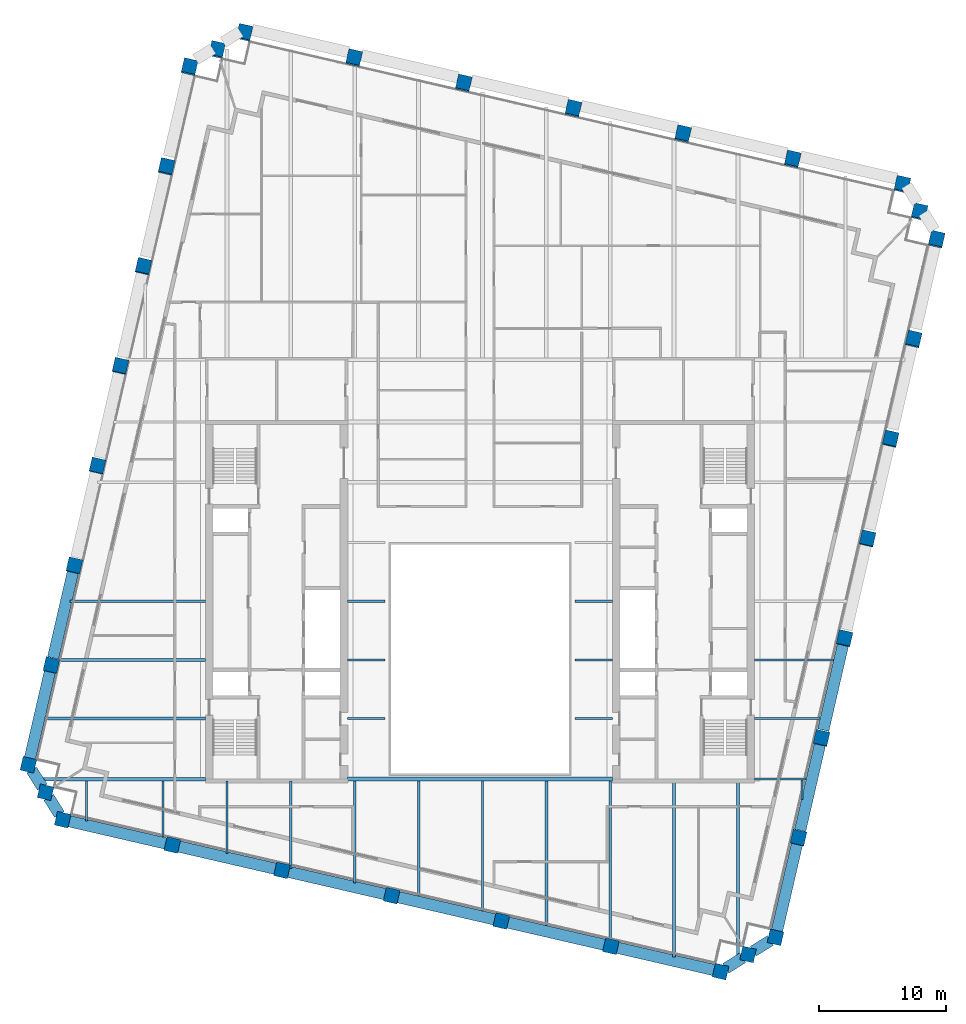
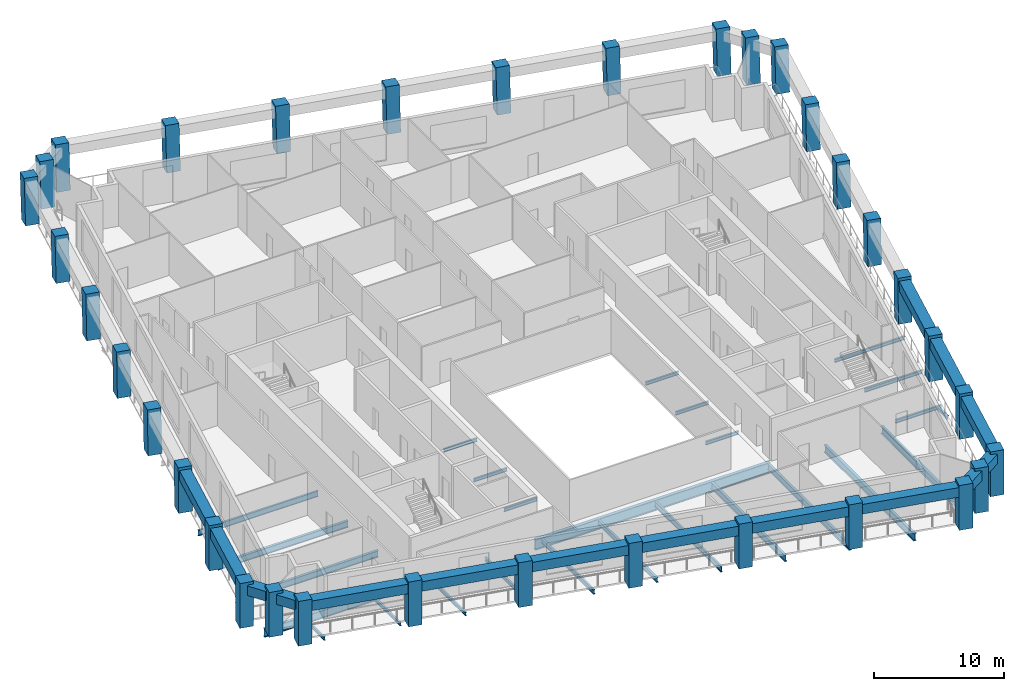
# One storey, part 1 of 10: 41 beams, 34 columns.
"""IFC4 building model written with IfcOpenShell, lengths in metres."""

import ifcopenshell
import ifcopenshell.guid

model = None  # the IFC model being written
_history = None  # IfcOwnerHistory: only IFC2X3 demands one
_inside = {}  # id of a spatial element -> (the spatial element, [elements in it])
_under = {}  # id of a project, library or spatial element -> (it, [spatial elements below it])
_declared = {}  # id of a project -> (the project, [libraries it declares])
_typed = {}  # id of a type object -> (the type object, [elements of that type])
_made_of = {}  # id of a material, layer set ... -> (it, [elements and type objects made of it])


def new_model(schema):
    """Start an empty IFC model of exactly this schema.

    Asked for "IFC4X3", IfcOpenShell would pick the latest addendum, in which some entities
    have other attributes; the version numbers below select the first issue.
    IFC2X3 requires an IfcOwnerHistory on every rooted entity: one is made here for all.
    """
    global model, _history
    if schema == "IFC4X3":
        model = ifcopenshell.file(schema_version=(4, 3, 0, 0))
    else:
        model = ifcopenshell.file(schema=schema)
    _inside.clear()
    _under.clear()
    _declared.clear()
    _typed.clear()
    _made_of.clear()
    _history = None
    if model.schema == "IFC2X3":
        org = make("IfcOrganization", Name="unknown")
        user = make(
            "IfcPersonAndOrganization",
            ThePerson=make("IfcPerson", FamilyName="unknown"),
            TheOrganization=org,
        )
        app = make(
            "IfcApplication",
            ApplicationDeveloper=org,
            Version="unknown",
            ApplicationFullName="unknown",
            ApplicationIdentifier="unknown",
        )
        _history = make(
            "IfcOwnerHistory",
            OwningUser=user,
            OwningApplication=app,
            ChangeAction="ADDED",
            CreationDate=0,
        )
    return model


def make(cls, **values):
    """One entity of the class cls with the attributes given. An attribute that is None is left unset."""
    return model.create_entity(
        cls, **{name: value for name, value in values.items() if value is not None}
    )


def rooted(cls, **values):
    """An entity with a GlobalId (a new one), such as an element, a storey or a relation."""
    return make(cls, GlobalId=ifcopenshell.guid.new(), OwnerHistory=_history, **values)


def si_unit(unit_type, name, prefix=None):
    """IfcSIUnit, for example si_unit("LENGTHUNIT", "METRE", prefix="MILLI")."""
    return make("IfcSIUnit", UnitType=unit_type, Prefix=prefix, Name=name)


def assignment(units):
    """IfcUnitAssignment: the units of a project."""
    return None if units is None else make("IfcUnitAssignment", Units=units)


def point(xyz):
    """IfcCartesianPoint."""
    return None if xyz is None else make("IfcCartesianPoint", Coordinates=xyz)


def direction(xyz):
    """IfcDirection."""
    return None if xyz is None else make("IfcDirection", DirectionRatios=xyz)


def frame(location, z_axis=None, x_axis=None):
    """IfcAxis2Placement3D, a coordinate frame: its origin and axes. An axis left out is left unset."""
    return make(
        "IfcAxis2Placement3D",
        Location=point(location),
        Axis=direction(z_axis),
        RefDirection=direction(x_axis),
    )


def frame_2d(location, x_axis=None):
    """IfcAxis2Placement2D, a coordinate frame in the plane: its origin and x axis."""
    return make(
        "IfcAxis2Placement2D", Location=point(location), RefDirection=direction(x_axis)
    )


def origin():
    """The frame at (0, 0, 0) with its axes left unset."""
    return frame((0.0, 0.0, 0.0))


def origin_2d():
    """The frame at (0, 0) in the plane with its x axis left unset."""
    return frame_2d((0.0, 0.0))


def place(relative_to, where):
    """IfcLocalPlacement: puts the frame where relative to a parent placement (None: the world)."""
    return make(
        "IfcLocalPlacement", PlacementRelTo=relative_to, RelativePlacement=where
    )


def context(
    kind, dimensions, precision=None, world=None, true_north=None, identifier=None
):
    """IfcGeometricRepresentationContext, for example the 3D "Model" context."""
    return make(
        "IfcGeometricRepresentationContext",
        ContextIdentifier=identifier,
        ContextType=kind,
        CoordinateSpaceDimension=dimensions,
        Precision=precision,
        WorldCoordinateSystem=world,
        TrueNorth=true_north,
    )


def subcontext(parent, identifier, kind, view, scale=None):
    """IfcGeometricRepresentationSubContext, for example "Body" below "Model"."""
    return make(
        "IfcGeometricRepresentationSubContext",
        ContextIdentifier=identifier,
        ContextType=kind,
        ParentContext=parent,
        TargetScale=scale,
        TargetView=view,
    )


def project(units=None, contexts=None):
    """IfcProject with its units and contexts."""
    return rooted(
        "IfcProject",
        Name="project",
        RepresentationContexts=contexts,
        UnitsInContext=assignment(units),
    )


def spatial(cls, under=None, at=None, **own):
    """A site, building, storey or space (cls), placed at a placement, below another one or the project."""
    s = rooted(cls, ObjectPlacement=at, **own)
    if under is not None:
        _under.setdefault(under.id(), (under, []))[1].append(s)
    return s


def profile(cls, at=None, kind="AREA", **sizes):
    """A parametric profile (cls). Its sizes go by their IFC names, for example OverallWidth=200.0."""
    return make(cls, ProfileType=kind, Position=at, **sizes)


def rectangle(**sizes):
    """IfcRectangleProfileDef."""
    return profile("IfcRectangleProfileDef", **sizes)


def i_section(**sizes):
    """IfcIShapeProfileDef."""
    return profile("IfcIShapeProfileDef", **sizes)


def extrude(swept, where, along, depth):
    """IfcExtrudedAreaSolid: the profile swept, set in the frame where, extruded along a direction by depth."""
    return make(
        "IfcExtrudedAreaSolid",
        SweptArea=swept,
        Position=where,
        ExtrudedDirection=direction(along),
        Depth=depth,
    )


def shape(context_of_items, identifier, shape_type, items):
    """IfcShapeRepresentation: the items that make up one representation, for example the "Body"."""
    return make(
        "IfcShapeRepresentation",
        ContextOfItems=context_of_items,
        RepresentationIdentifier=identifier,
        RepresentationType=shape_type,
        Items=items,
    )


def material(Name=None, Category=None):
    """IfcMaterial."""
    return make("IfcMaterial", Name=Name, Category=Category)


def material_profile(
    of_material, cross_section, Name=None, Category=None, Priority=None
):
    """IfcMaterialProfile: a cross section and its material."""
    return make(
        "IfcMaterialProfile",
        Name=Name,
        Material=of_material,
        Profile=cross_section,
        Priority=Priority,
        Category=Category,
    )


def profile_set(profiles, Name=None, composite=None):
    """IfcMaterialProfileSet."""
    return make(
        "IfcMaterialProfileSet",
        Name=Name,
        MaterialProfiles=profiles,
        CompositeProfile=composite,
    )


def made_of(thing, what):
    """Note that an element or type object is made of a material, layer set ...; save() writes the relation."""
    if what is not None:
        _made_of.setdefault(what.id(), (what, []))[1].append(thing)
    return thing


def type_object(cls, material=None, **own):
    """A type object (cls), such as IfcWallType, which elements share."""
    return made_of(rooted(cls, **own), material)


def element(
    cls,
    number,
    at=None,
    inside=None,
    cuts=None,
    type_object=None,
    material=None,
    context=None,
    identifier="Body",
    shape_type=None,
    held_by="IfcProductDefinitionShape",
    body=None,
    shapes=None,
    **own,
):
    """One element of the class cls, such as IfcWall. Its Tag is "e" and its number.

    at: its placement. inside: the storey or other place that contains it. cuts: it is an
    opening in that element (IfcRelVoidsElement). A single representation is given by context,
    identifier, shape_type and body (its items); several are given by shapes. held_by: the class
    of the entity that holds the representations. save() writes the other relations.
    """
    e = rooted(cls, Tag="e%d" % number, ObjectPlacement=at, **own)
    if body is not None:
        shapes = [shape(context, identifier, shape_type, body)]
    if shapes is not None:
        e.Representation = make(held_by, Representations=shapes)
    if inside is not None:
        _inside.setdefault(inside.id(), (inside, []))[1].append(e)
    if cuts is not None:
        rooted(
            "IfcRelVoidsElement", RelatingBuildingElement=cuts, RelatedOpeningElement=e
        )
    if type_object is not None:
        _typed.setdefault(type_object.id(), (type_object, []))[1].append(e)
    return made_of(e, material)


def aggregate(whole, parts):
    """IfcRelAggregates: a whole, such as a stair, and the parts it consists of."""
    return rooted("IfcRelAggregates", RelatingObject=whole, RelatedObjects=parts)


def save(model, path):
    """Write the relations noted so far, then the file.

    IfcRelAggregates (storeys below a building ...), IfcRelContainedInSpatialStructure (elements
    in a storey), IfcRelDefinesByType, IfcRelAssociatesMaterial and IfcRelDeclares: one each for
    every whole, place, type object, material and project.
    """
    for whole, parts in _under.values():
        aggregate(whole, parts)
    for where, things in _inside.values():
        rooted(
            "IfcRelContainedInSpatialStructure",
            RelatedElements=things,
            RelatingStructure=where,
        )
    for kind, things in _typed.values():
        rooted("IfcRelDefinesByType", RelatedObjects=things, RelatingType=kind)
    for what, things in _made_of.values():
        rooted("IfcRelAssociatesMaterial", RelatedObjects=things, RelatingMaterial=what)
    for by, libraries in _declared.values():
        rooted("IfcRelDeclares", RelatingContext=by, RelatedDefinitions=libraries)
    model.write(path)


model = new_model("IFC4")

# Units and contexts
model_context = context("Model", 3, precision=1e-05, world=origin(), true_north=direction((0.0, 1.0)))
body_context = subcontext(model_context, "Body", "Model", "MODEL_VIEW")
ifc_project = project(units=[si_unit("LENGTHUNIT", "METRE"), si_unit("AREAUNIT", "SQUARE_METRE"), si_unit("VOLUMEUNIT", "CUBIC_METRE"), si_unit("PLANEANGLEUNIT", "RADIAN"), si_unit("MASSUNIT", "GRAM", prefix="KILO")], contexts=[model_context])

# Site, building, storey
site_placement = place(None, origin())
site = spatial("IfcSite", under=ifc_project, at=site_placement, CompositionType="ELEMENT")
building_placement = place(site_placement, origin())
building = spatial("IfcBuilding", under=site, at=building_placement, Name="Ogive Exchange Tower", CompositionType="ELEMENT")
storey_placement = place(building_placement, frame((0.0, 0.0, 255.60009765625)))
storey = spatial("IfcBuildingStorey", under=building, at=storey_placement, Name="L55", CompositionType="ELEMENT", Elevation=255.60009765625)

# Columns
ifc_material_1 = material(Name="Precast concrete C70/85 (limestone faced)", Category="masonry")
ifc_material_profile_1 = material_profile(ifc_material_1, rectangle(XDim=1.10009765625, YDim=1.10009765625, at=origin_2d()), Name="1100 x 1100")
ifc_profile_set_1 = profile_set([ifc_material_profile_1], Name="Precast concrete C70/85 (limestone faced)")
column_type = type_object("IfcColumnType", Name="Precast exoskeleton leg 1100 x 1100 C70/85", PredefinedType="COLUMN", material=ifc_profile_set_1)
for number, where, z_axis, x_axis, name in (
    (1, (-32.820556640625, -5.635498046875, 0.0), (0.0, 0.0, 1.0), (0.974370064785, -0.224951054344, 0.0), "Exoskeleton leg 1"),
    (2, (-24.197265625, -7.62646484375, 0.0), (0.0, 0.0, 1.0), (0.974370064785, -0.224951054344, 0.0), "Exoskeleton leg 2"),
    (3, (-15.57421875, -9.6171875, 0.0), (0.0, 0.0, 1.0), (0.974370064785, -0.224951054344, 0.0), "Exoskeleton leg 3"),
    (4, (-6.950927734375, -11.60791015625, 0.0), (0.0, 0.0, 1.0), (0.974370064785, -0.224951054344, 0.0), "Exoskeleton leg 4"),
    (5, (1.672119140625, -13.598876953125, 0.0), (0.0, 0.0, 1.0), (0.974370064785, -0.224951054344, 0.0), "Exoskeleton leg 5"),
    (6, (10.29541015625, -15.589599609375, 0.0), (0.0, 0.0, 1.0), (0.974370064785, -0.224951054344, 0.0), "Exoskeleton leg 6"),
    (7, (18.91845703125, -17.58056640625, 0.0), (0.0, 0.0, 1.0), (0.974370064785, -0.224951054344, 0.0), "Exoskeleton leg 7"),
    (8, (23.236083984375, -14.882568359375, 0.0), (0.0, 0.0, 1.0), (0.974370064785, -0.224951054344, 0.0), "Exoskeleton leg 8"),
):
    element("IfcColumn", number, at=place(storey_placement, frame(where, z_axis=z_axis, x_axis=x_axis)), inside=storey, type_object=column_type, Name=name, PredefinedType="COLUMN", context=body_context, shape_type="SweptSolid", body=[
        extrude(rectangle(XDim=1.10009765625, YDim=1.10009765625, at=origin_2d()), origin(), (0.0, 0.0, 1.0), 4.199951171875),
    ])
column_1_placement = place(storey_placement, frame((25.045166015625, -7.047119140625, 0.0), z_axis=(0.002906224189, 0.012671137464, 0.999915494498), x_axis=(-0.974691740237, 0.22355315143, 0.0)))
element("IfcColumn", 9, at=column_1_placement, inside=storey, type_object=column_type, Name="Exoskeleton leg 9", PredefinedType="COLUMN", context=body_context, shape_type="SweptSolid", body=[
    extrude(rectangle(XDim=1.10009765625, YDim=1.10009765625, at=origin_2d()), origin(), (0.0, 0.0, 1.0), 4.2001953125),
])
column_2_placement = place(storey_placement, frame((26.85400390625, 0.788330078125, 0.0), z_axis=(0.005810983994, 0.025277780376, 0.999663576552), x_axis=(-0.974579651079, 0.224041299099, 0.0)))
element("IfcColumn", 10, at=column_2_placement, inside=storey, type_object=column_type, Name="Exoskeleton leg 10", PredefinedType="COLUMN", context=body_context, shape_type="SweptSolid", body=[
    extrude(rectangle(XDim=1.10009765625, YDim=1.10009765625, at=origin_2d()), origin(), (0.0, 0.0, 1.0), 4.201416015625),
])
column_3_placement = place(storey_placement, frame((28.6630859375, 8.623779296875, 0.0), z_axis=(0.00871280379, 0.037929739166, 0.999242424008), x_axis=(-0.974617095667, 0.223878352757, 0.0)))
element("IfcColumn", 11, at=column_3_placement, inside=storey, type_object=column_type, Name="Exoskeleton leg 11", PredefinedType="COLUMN", context=body_context, shape_type="SweptSolid", body=[
    extrude(rectangle(XDim=1.10009765625, YDim=1.10009765625, at=origin_2d()), origin(), (0.0, 0.0, 1.0), 4.203125),
])
column_4_placement = place(storey_placement, frame((30.471923828125, 16.459228515625, 0.0), z_axis=(0.011668267153, 0.050562490995, 0.998652735462), x_axis=(-0.974391195695, 0.224859506699, 0.0)))
element("IfcColumn", 12, at=column_4_placement, inside=storey, type_object=column_type, Name="Exoskeleton leg 12", PredefinedType="COLUMN", context=body_context, shape_type="SweptSolid", body=[
    extrude(rectangle(XDim=1.10009765625, YDim=1.10009765625, at=origin_2d()), origin(), (0.0, 0.0, 1.0), 4.20556640625),
])
column_5_placement = place(storey_placement, frame((32.281005859375, 24.294677734375, 0.0), z_axis=(0.014559841898, 0.063111984005, 0.997900239743), x_axis=(-0.97440628778, 0.224794097641, 0.0)))
element("IfcColumn", 13, at=column_5_placement, inside=storey, type_object=column_type, Name="Exoskeleton leg 13", PredefinedType="COLUMN", context=body_context, shape_type="SweptSolid", body=[
    extrude(rectangle(XDim=1.10009765625, YDim=1.10009765625, at=origin_2d()), origin(), (0.0, 0.0, 1.0), 4.208740234375),
])
column_6_placement = place(storey_placement, frame((34.08984375, 32.130126953125, 0.0), z_axis=(0.017502025619, 0.075687567741, 0.996977969259), x_axis=(-0.974290512438, 0.225295355862, 0.0)))
element("IfcColumn", 14, at=column_6_placement, inside=storey, type_object=column_type, Name="Exoskeleton leg 14", PredefinedType="COLUMN", context=body_context, shape_type="SweptSolid", body=[
    extrude(rectangle(XDim=1.10009765625, YDim=1.10009765625, at=origin_2d()), origin(), (0.0, 0.0, 1.0), 4.212646484375),
])
for number, where, z_axis, x_axis, name in (
    (15, (35.898681640625, 39.965576171875, 0.0), (0.020377493232, 0.0882252832, 0.995892091129), (-0.97434807649, 0.225046274885, 0.0), "Exoskeleton leg 15"),
    (16, (33.200927734375, 44.283203125, 0.0), (0.020377493232, 0.0882252832, 0.995892091129), (-0.97434807649, 0.225046274885, 0.0), "Exoskeleton leg 16"),
    (17, (24.57763671875, 46.27392578125, 0.0), (0.020377493232, 0.0882252832, 0.995892091129), (-0.97434807649, 0.225046274885, 0.0), "Exoskeleton leg 17"),
    (18, (15.95458984375, 48.264892578125, 0.0), (0.020319730311, 0.088167946619, 0.995898349105), (-0.97445585692, 0.224579123952, 0.0), "Exoskeleton leg 18"),
    (19, (7.331298828125, 50.255615234375, 0.0), (0.020377493232, 0.0882252832, 0.995892091129), (-0.97434807649, 0.225046274885, 0.0), "Exoskeleton leg 19"),
    (20, (-1.291748046875, 52.246337890625, 0.0), (0.020377493232, 0.0882252832, 0.995892091129), (-0.97434807649, 0.225046274885, 0.0), "Exoskeleton leg 20"),
    (21, (-9.9150390625, 54.2373046875, 0.0), (0.020377493232, 0.0882252832, 0.995892091129), (-0.97434807649, 0.225046274885, 0.0), "Exoskeleton leg 21"),
    (22, (-18.5380859375, 56.22802734375, 0.0), (0.020319626563, 0.088225387128, 0.995893264282), (-0.974488096918, 0.224439187676, 0.0), "Exoskeleton leg 22"),
    (23, (-22.855712890625, 53.530029296875, 0.0), (0.020377493232, 0.0882252832, 0.995892091129), (-0.97434807649, 0.225046274885, 0.0), "Exoskeleton leg 23"),
):
    element("IfcColumn", number, at=place(storey_placement, frame(where, z_axis=z_axis, x_axis=x_axis)), inside=storey, type_object=column_type, Name=name, PredefinedType="COLUMN", context=body_context, shape_type="SweptSolid", body=[
        extrude(rectangle(XDim=1.10009765625, YDim=1.10009765625, at=origin_2d()), origin(), (0.0, 0.0, 1.0), 4.21728515625),
    ])
column_7_placement = place(storey_placement, frame((-24.664794921875, 45.694580078125, 0.0), z_axis=(0.017501948819, 0.075745189095, 0.996973594493), x_axis=(-0.974328337224, 0.225131719848, 0.0)))
element("IfcColumn", 24, at=column_7_placement, inside=storey, type_object=column_type, Name="Exoskeleton leg 24", PredefinedType="COLUMN", context=body_context, shape_type="SweptSolid", body=[
    extrude(rectangle(XDim=1.10009765625, YDim=1.10009765625, at=origin_2d()), origin(), (0.0, 0.0, 1.0), 4.212646484375),
])
column_8_placement = place(storey_placement, frame((-26.4736328125, 37.859130859375, 0.0), z_axis=(0.014559788571, 0.063169759976, 0.997896584813), x_axis=(-0.97445148511, 0.224598092528, 0.0)))
element("IfcColumn", 25, at=column_8_placement, inside=storey, type_object=column_type, Name="Exoskeleton leg 25", PredefinedType="COLUMN", context=body_context, shape_type="SweptSolid", body=[
    extrude(rectangle(XDim=1.10009765625, YDim=1.10009765625, at=origin_2d()), origin(), (0.0, 0.0, 1.0), 4.208740234375),
])
column_9_placement = place(storey_placement, frame((-28.28271484375, 30.023681640625, 0.0), z_axis=(0.01172631027, 0.050562456661, 0.998652057337), x_axis=(-0.974145569572, 0.225921245756, 0.0)))
element("IfcColumn", 26, at=column_9_placement, inside=storey, type_object=column_type, Name="Exoskeleton leg 26", PredefinedType="COLUMN", context=body_context, shape_type="SweptSolid", body=[
    extrude(rectangle(XDim=1.10009765625, YDim=1.10009765625, at=origin_2d()), origin(), (0.0, 0.0, 1.0), 4.20556640625),
])
column_10_placement = place(storey_placement, frame((-30.091552734375, 22.188232421875, 0.0), z_axis=(0.008770865357, 0.037987721479, 0.999239713451), x_axis=(-0.97436607968, 0.224968315033, 0.0)))
element("IfcColumn", 27, at=column_10_placement, inside=storey, type_object=column_type, Name="Exoskeleton leg 27", PredefinedType="COLUMN", context=body_context, shape_type="SweptSolid", body=[
    extrude(rectangle(XDim=1.10009765625, YDim=1.10009765625, at=origin_2d()), origin(), (0.0, 0.0, 1.0), 4.203125),
])
column_11_placement = place(storey_placement, frame((-31.900390625, 14.352783203125, 0.0), z_axis=(0.005810975449, 0.025335852957, 0.999662106474), x_axis=(-0.974691740237, 0.22355315143, 0.0)))
element("IfcColumn", 28, at=column_11_placement, inside=storey, type_object=column_type, Name="Exoskeleton leg 28", PredefinedType="COLUMN", context=body_context, shape_type="SweptSolid", body=[
    extrude(rectangle(XDim=1.10009765625, YDim=1.10009765625, at=origin_2d()), origin(), (0.0, 0.0, 1.0), 4.201416015625),
])
column_12_placement = place(storey_placement, frame((-33.70947265625, 6.517333984375, 0.0), z_axis=(0.002906224189, 0.012671137464, 0.999915494498), x_axis=(-0.974691740237, 0.22355315143, 0.0)))
element("IfcColumn", 29, at=column_12_placement, inside=storey, type_object=column_type, Name="Exoskeleton leg 29", PredefinedType="COLUMN", context=body_context, shape_type="SweptSolid", body=[
    extrude(rectangle(XDim=1.10009765625, YDim=1.10009765625, at=origin_2d()), origin(), (0.0, 0.0, 1.0), 4.2001953125),
])
for number, where, z_axis, x_axis, name in (
    (30, (-35.518310546875, -1.318115234375, 0.0), (0.0, 0.0, 1.0), (0.974370064785, -0.224951054344, 0.0), "Exoskeleton leg 30"),
    (31, (21.077392578125, -16.2314453125, 0.0), (0.0, 0.0, 1.0), (0.974370064785, -0.224951054344, 0.0), "Exoskeleton leg 31"),
):
    element("IfcColumn", number, at=place(storey_placement, frame(where, z_axis=z_axis, x_axis=x_axis)), inside=storey, type_object=column_type, Name=name, PredefinedType="COLUMN", context=body_context, shape_type="SweptSolid", body=[
        extrude(rectangle(XDim=1.10009765625, YDim=1.10009765625, at=origin_2d()), origin(), (0.0, 0.0, 1.0), 4.199951171875),
    ])
for number, where, z_axis, x_axis, name in (
    (32, (34.5498046875, 42.12451171875, 0.0), (0.020377597275, 0.088167842757, 0.995897175934), (-0.97431566651, 0.225186549318, 0.0), "Exoskeleton leg 32"),
    (33, (-20.697021484375, 54.879150390625, 0.0), (0.020377493232, 0.0882252832, 0.995892091129), (-0.97434807649, 0.225046274885, 0.0), "Exoskeleton leg 33"),
):
    element("IfcColumn", number, at=place(storey_placement, frame(where, z_axis=z_axis, x_axis=x_axis)), inside=storey, type_object=column_type, Name=name, PredefinedType="COLUMN", context=body_context, shape_type="SweptSolid", body=[
        extrude(rectangle(XDim=1.10009765625, YDim=1.10009765625, at=origin_2d()), origin(), (0.0, 0.0, 1.0), 4.21728515625),
    ])
column_13_placement = place(storey_placement, frame((-34.16943359375, -3.476806640625, 0.0), z_axis=(0.0, 0.0, 1.0), x_axis=(0.974370064785, -0.224951054344, 0.0)))
element("IfcColumn", 34, at=column_13_placement, inside=storey, type_object=column_type, Name="Exoskeleton leg 34", PredefinedType="COLUMN", context=body_context, shape_type="SweptSolid", body=[
    extrude(rectangle(XDim=1.10009765625, YDim=1.10009765625, at=origin_2d()), origin(), (0.0, 0.0, 1.0), 4.199951171875),
])

# Beams
ifc_material_2 = material(Name="Steel ASTM A992 Gr50", Category="steel")
ifc_material_profile_2 = material_profile(ifc_material_2, i_section(OverallWidth=0.1650390625, OverallDepth=0.31005859375, WebThickness=0.005859375, FlangeThickness=0.009765625, at=origin_2d()), Name="W310x38.7")
ifc_profile_set_2 = profile_set([ifc_material_profile_2], Name="Steel ASTM A992 Gr50")
beam_type_1 = type_object("IfcBeamType", Name="Floor beam W310x38.7", PredefinedType="JOIST", material=ifc_profile_set_2)
for number, where, z_axis, x_axis, name in (
    (35, (-10.419921875, 2.3212890625, -0.35498046875), (1.0, 0.0, 0.0), (0.0, 1.0, 0.0), "Floor beam"),
    (36, (7.469970703125, 2.3212890625, -0.35498046875), (1.0, 0.0, 0.0), (0.0, 1.0, 0.0), "Floor beam"),
):
    element("IfcBeam", number, at=place(storey_placement, frame(where, z_axis=z_axis, x_axis=x_axis)), inside=storey, type_object=beam_type_1, Name=name, PredefinedType="JOIST", context=body_context, shape_type="SweptSolid", body=[
        extrude(i_section(OverallWidth=0.1650390625, OverallDepth=0.31005859375, WebThickness=0.005859375, FlangeThickness=0.009765625, at=origin_2d()), origin(), (0.0, 0.0, 1.0), 2.949951171875),
    ])
beam_1_placement = place(storey_placement, frame((21.580078125, 2.3212890625, -0.35498046875), z_axis=(1.0, 0.0, 0.0), x_axis=(0.0, 1.0, 0.0)))
element("IfcBeam", 37, at=beam_1_placement, inside=storey, type_object=beam_type_1, Name="Floor beam", PredefinedType="JOIST", context=body_context, shape_type="SweptSolid", body=[
    extrude(i_section(OverallWidth=0.1650390625, OverallDepth=0.31005859375, WebThickness=0.005859375, FlangeThickness=0.009765625, at=origin_2d()), origin(), (0.0, 0.0, 1.0), 5.166015625),
])
for number, where, z_axis, x_axis, name in (
    (38, (-10.419921875, 6.9326171875, -0.35498046875), (1.0, 0.0, 0.0), (0.0, 1.0, 0.0), "Floor beam"),
    (39, (7.469970703125, 6.9326171875, -0.35498046875), (1.0, 0.0, 0.0), (0.0, 1.0, 0.0), "Floor beam"),
):
    element("IfcBeam", number, at=place(storey_placement, frame(where, z_axis=z_axis, x_axis=x_axis)), inside=storey, type_object=beam_type_1, Name=name, PredefinedType="JOIST", context=body_context, shape_type="SweptSolid", body=[
        extrude(i_section(OverallWidth=0.1650390625, OverallDepth=0.31005859375, WebThickness=0.005859375, FlangeThickness=0.009765625, at=origin_2d()), origin(), (0.0, 0.0, 1.0), 2.949951171875),
    ])
beam_2_placement = place(storey_placement, frame((21.580078125, 6.9326171875, -0.35498046875), z_axis=(1.0, 0.0, 0.0), x_axis=(0.0, 1.0, 0.0)))
element("IfcBeam", 40, at=beam_2_placement, inside=storey, type_object=beam_type_1, Name="Floor beam", PredefinedType="JOIST", context=body_context, shape_type="SweptSolid", body=[
    extrude(i_section(OverallWidth=0.1650390625, OverallDepth=0.31005859375, WebThickness=0.005859375, FlangeThickness=0.009765625, at=origin_2d()), origin(), (0.0, 0.0, 1.0), 6.230712890625),
])
for number, where, z_axis, x_axis, name in (
    (41, (-10.419921875, 11.543701171875, -0.35498046875), (1.0, 0.0, 0.0), (0.0, 1.0, 0.0), "Floor beam"),
    (42, (7.469970703125, 11.543701171875, -0.35498046875), (1.0, 0.0, 0.0), (0.0, 1.0, 0.0), "Floor beam"),
):
    element("IfcBeam", number, at=place(storey_placement, frame(where, z_axis=z_axis, x_axis=x_axis)), inside=storey, type_object=beam_type_1, Name=name, PredefinedType="JOIST", context=body_context, shape_type="SweptSolid", body=[
        extrude(i_section(OverallWidth=0.1650390625, OverallDepth=0.31005859375, WebThickness=0.005859375, FlangeThickness=0.009765625, at=origin_2d()), origin(), (0.0, 0.0, 1.0), 2.949951171875),
    ])
beam_3_placement = place(storey_placement, frame((-30.95458984375, -5.75439453125, -0.35498046875), z_axis=(0.0, 1.0, 0.0), x_axis=(-1.0, 0.0, 0.0)))
element("IfcBeam", 43, at=beam_3_placement, inside=storey, type_object=beam_type_1, Name="Floor beam", PredefinedType="JOIST", context=body_context, shape_type="SweptSolid", body=[
    extrude(i_section(OverallWidth=0.1650390625, OverallDepth=0.31005859375, WebThickness=0.005859375, FlangeThickness=0.009765625, at=origin_2d()), origin(), (0.0, 0.0, 1.0), 3.17578125),
])
beam_4_placement = place(storey_placement, frame((-24.930419921875, -6.995361328125, -0.35498046875), z_axis=(0.0, 1.0, 0.0), x_axis=(-1.0, 0.0, 0.0)))
element("IfcBeam", 44, at=beam_4_placement, inside=storey, type_object=beam_type_1, Name="Floor beam", PredefinedType="JOIST", context=body_context, shape_type="SweptSolid", body=[
    extrude(i_section(OverallWidth=0.1650390625, OverallDepth=0.31005859375, WebThickness=0.005859375, FlangeThickness=0.009765625, at=origin_2d()), origin(), (0.0, 0.0, 1.0), 4.416748046875),
])
beam_5_placement = place(storey_placement, frame((-19.90625, -8.30517578125, -0.35498046875), z_axis=(0.0, 1.0, 0.0), x_axis=(-1.0, 0.0, 0.0)))
element("IfcBeam", 45, at=beam_5_placement, inside=storey, type_object=beam_type_1, Name="Floor beam", PredefinedType="JOIST", context=body_context, shape_type="SweptSolid", body=[
    extrude(i_section(OverallWidth=0.1650390625, OverallDepth=0.31005859375, WebThickness=0.005859375, FlangeThickness=0.009765625, at=origin_2d()), origin(), (0.0, 0.0, 1.0), 5.705078125),
])
beam_6_placement = place(storey_placement, frame((25.310791015625, -4.045654296875, -0.35498046875), z_axis=(0.0, 1.0, 0.0), x_axis=(-1.0, 0.0, 0.0)))
element("IfcBeam", 46, at=beam_6_placement, inside=storey, type_object=beam_type_1, Name="Floor beam", PredefinedType="JOIST", context=body_context, shape_type="SweptSolid", body=[
    extrude(i_section(OverallWidth=0.1650390625, OverallDepth=0.31005859375, WebThickness=0.005859375, FlangeThickness=0.009765625, at=origin_2d()), origin(), (0.0, 0.0, 1.0), 1.51806640625),
])
ifc_material_profile_3 = material_profile(ifc_material_2, i_section(OverallWidth=0.1708984375, OverallDepth=0.35595703125, WebThickness=0.00732421875, FlangeThickness=0.01171875, at=origin_2d()), Name="W360x51")
ifc_profile_set_3 = profile_set([ifc_material_profile_3], Name="Steel ASTM A992 Gr50")
beam_type_2 = type_object("IfcBeamType", Name="Floor beam W360x51", PredefinedType="JOIST", material=ifc_profile_set_3)
beam_7_placement = place(storey_placement, frame((-14.882080078125, -9.465087890625, -0.378173828125), z_axis=(0.0, 1.0, 0.0), x_axis=(-1.0, 0.0, 0.0)))
element("IfcBeam", 47, at=beam_7_placement, inside=storey, type_object=beam_type_2, Name="Floor beam", PredefinedType="JOIST", context=body_context, shape_type="SweptSolid", body=[
    extrude(i_section(OverallWidth=0.1708984375, OverallDepth=0.35595703125, WebThickness=0.00732421875, FlangeThickness=0.01171875, at=origin_2d()), origin(), (0.0, 0.0, 1.0), 6.864990234375),
])
ifc_material_profile_4 = material_profile(ifc_material_2, i_section(OverallWidth=0.177978515625, OverallDepth=0.406005859375, WebThickness=0.0078125, FlangeThickness=0.0126953125, at=origin_2d()), Name="W410x60")
ifc_profile_set_4 = profile_set([ifc_material_profile_4], Name="Steel ASTM A992 Gr50")
beam_type_3 = type_object("IfcBeamType", Name="Floor beam W410x60", PredefinedType="JOIST", material=ifc_profile_set_4)
beam_8_placement = place(storey_placement, frame((-9.858154296875, -10.625, -0.403076171875), z_axis=(0.0, 1.0, 0.0), x_axis=(-1.0, 0.0, 0.0)))
element("IfcBeam", 48, at=beam_8_placement, inside=storey, type_object=beam_type_3, Name="Floor beam", PredefinedType="JOIST", context=body_context, shape_type="SweptSolid", body=[
    extrude(i_section(OverallWidth=0.177978515625, OverallDepth=0.406005859375, WebThickness=0.0078125, FlangeThickness=0.0126953125, at=origin_2d()), origin(), (0.0, 0.0, 1.0), 8.030029296875),
])
ifc_material_profile_5 = material_profile(ifc_material_2, i_section(OverallWidth=0.19091796875, OverallDepth=0.45703125, WebThickness=0.009033203125, FlangeThickness=0.014404296875, at=origin_2d()), Name="W460x74")
ifc_profile_set_5 = profile_set([ifc_material_profile_5], Name="Steel ASTM A992 Gr50")
beam_type_4 = type_object("IfcBeamType", Name="Floor beam W460x74", PredefinedType="JOIST", material=ifc_profile_set_5)
beam_9_placement = place(storey_placement, frame((-4.833984375, -11.635009765625, -0.4287109375), z_axis=(0.0, 1.0, 0.0), x_axis=(-1.0, 0.0, 0.0)))
element("IfcBeam", 49, at=beam_9_placement, inside=storey, type_object=beam_type_4, Name="Floor beam", PredefinedType="JOIST", context=body_context, shape_type="SweptSolid", body=[
    extrude(i_section(OverallWidth=0.19091796875, OverallDepth=0.45703125, WebThickness=0.009033203125, FlangeThickness=0.014404296875, at=origin_2d()), origin(), (0.0, 0.0, 1.0), 9.0400390625),
])
ifc_material_profile_6 = material_profile(ifc_material_2, i_section(OverallWidth=0.1669921875, OverallDepth=0.535888671875, WebThickness=0.01025390625, FlangeThickness=0.0166015625, at=origin_2d()), Name="W530x85")
ifc_profile_set_6 = profile_set([ifc_material_profile_6], Name="Steel ASTM A992 Gr50")
beam_type_5 = type_object("IfcBeamType", Name="Floor beam W530x85", PredefinedType="JOIST", material=ifc_profile_set_6)
beam_10_placement = place(storey_placement, frame((-32.2373046875, 11.543701171875, -0.468017578125), z_axis=(1.0, 0.0, 0.0), x_axis=(0.0, 1.0, 0.0)))
element("IfcBeam", 50, at=beam_10_placement, inside=storey, type_object=beam_type_5, Name="Floor beam", PredefinedType="JOIST", context=body_context, shape_type="SweptSolid", body=[
    extrude(i_section(OverallWidth=0.1669921875, OverallDepth=0.535888671875, WebThickness=0.01025390625, FlangeThickness=0.0166015625, at=origin_2d()), origin(), (0.0, 0.0, 1.0), 10.6572265625),
])
beam_11_placement = place(storey_placement, frame((0.190185546875, -12.794921875, -0.468017578125), z_axis=(0.0, 1.0, 0.0), x_axis=(-1.0, 0.0, 0.0)))
element("IfcBeam", 51, at=beam_11_placement, inside=storey, type_object=beam_type_5, Name="Floor beam", PredefinedType="JOIST", context=body_context, shape_type="SweptSolid", body=[
    extrude(i_section(OverallWidth=0.1669921875, OverallDepth=0.535888671875, WebThickness=0.01025390625, FlangeThickness=0.0166015625, at=origin_2d()), origin(), (0.0, 0.0, 1.0), 10.199951171875),
])
ifc_material_profile_7 = material_profile(ifc_material_2, i_section(OverallWidth=0.22802734375, OverallDepth=0.60205078125, WebThickness=0.010498046875, FlangeThickness=0.014892578125, at=origin_2d()), Name="W610x101")
ifc_profile_set_7 = profile_set([ifc_material_profile_7], Name="Steel ASTM A992 Gr50")
beam_type_6 = type_object("IfcBeamType", Name="Floor beam W610x101", PredefinedType="JOIST", material=ifc_profile_set_7)
beam_12_placement = place(storey_placement, frame((-34.21630859375, 2.3212890625, -0.5009765625), z_axis=(1.0, 0.0, 0.0), x_axis=(0.0, 1.0, 0.0)))
element("IfcBeam", 52, at=beam_12_placement, inside=storey, type_object=beam_type_6, Name="Floor beam", PredefinedType="JOIST", context=body_context, shape_type="SweptSolid", body=[
    extrude(i_section(OverallWidth=0.22802734375, OverallDepth=0.60205078125, WebThickness=0.010498046875, FlangeThickness=0.014892578125, at=origin_2d()), origin(), (0.0, 0.0, 1.0), 12.63623046875),
])
beam_13_placement = place(storey_placement, frame((-33.15185546875, 6.9326171875, -0.5009765625), z_axis=(1.0, 0.0, 0.0), x_axis=(0.0, 1.0, 0.0)))
element("IfcBeam", 53, at=beam_13_placement, inside=storey, type_object=beam_type_6, Name="Floor beam", PredefinedType="JOIST", context=body_context, shape_type="SweptSolid", body=[
    extrude(i_section(OverallWidth=0.22802734375, OverallDepth=0.60205078125, WebThickness=0.010498046875, FlangeThickness=0.014892578125, at=origin_2d()), origin(), (0.0, 0.0, 1.0), 11.57177734375),
])
beam_14_placement = place(storey_placement, frame((5.21435546875, -13.954833984375, -0.5009765625), z_axis=(0.0, 1.0, 0.0), x_axis=(-1.0, 0.0, 0.0)))
element("IfcBeam", 54, at=beam_14_placement, inside=storey, type_object=beam_type_6, Name="Floor beam", PredefinedType="JOIST", context=body_context, shape_type="SweptSolid", body=[
    extrude(i_section(OverallWidth=0.22802734375, OverallDepth=0.60205078125, WebThickness=0.010498046875, FlangeThickness=0.014892578125, at=origin_2d()), origin(), (0.0, 0.0, 1.0), 11.35986328125),
])
beam_15_placement = place(storey_placement, frame((10.23828125, -15.11474609375, -0.5009765625), z_axis=(0.0, 1.0, 0.0), x_axis=(-1.0, 0.0, 0.0)))
element("IfcBeam", 55, at=beam_15_placement, inside=storey, type_object=beam_type_6, Name="Floor beam", PredefinedType="JOIST", context=body_context, shape_type="SweptSolid", body=[
    extrude(i_section(OverallWidth=0.22802734375, OverallDepth=0.60205078125, WebThickness=0.010498046875, FlangeThickness=0.014892578125, at=origin_2d()), origin(), (0.0, 0.0, 1.0), 12.519775390625),
])
ifc_material_profile_8 = material_profile(ifc_material_2, i_section(OverallWidth=0.25390625, OverallDepth=0.677978515625, WebThickness=0.01171875, FlangeThickness=0.016357421875, at=origin_2d()), Name="W690x125")
ifc_profile_set_8 = profile_set([ifc_material_profile_8], Name="Steel ASTM A992 Gr50")
beam_type_7 = type_object("IfcBeamType", Name="Floor beam W690x125", PredefinedType="JOIST", material=ifc_profile_set_8)
beam_16_placement = place(storey_placement, frame((15.2626953125, -16.424560546875, -0.5390625), z_axis=(0.0, 1.0, 0.0), x_axis=(-1.0, 0.0, 0.0)))
element("IfcBeam", 56, at=beam_16_placement, inside=storey, type_object=beam_type_7, Name="Floor beam", PredefinedType="JOIST", context=body_context, shape_type="SweptSolid", body=[
    extrude(i_section(OverallWidth=0.25390625, OverallDepth=0.677978515625, WebThickness=0.01171875, FlangeThickness=0.016357421875, at=origin_2d()), origin(), (0.0, 0.0, 1.0), 13.824462890625),
])
beam_17_placement = place(storey_placement, frame((20.28662109375, -16.344970703125, -0.5390625), z_axis=(0.0, 1.0, 0.0), x_axis=(-1.0, 0.0, 0.0)))
element("IfcBeam", 57, at=beam_17_placement, inside=storey, type_object=beam_type_7, Name="Floor beam", PredefinedType="JOIST", context=body_context, shape_type="SweptSolid", body=[
    extrude(i_section(OverallWidth=0.25390625, OverallDepth=0.677978515625, WebThickness=0.01171875, FlangeThickness=0.016357421875, at=origin_2d()), origin(), (0.0, 0.0, 1.0), 13.744873046875),
])
ifc_material_profile_9 = material_profile(ifc_material_2, i_section(OverallWidth=0.300048828125, OverallDepth=0.97998046875, WebThickness=0.0166015625, FlangeThickness=0.026123046875, at=origin_2d()), Name="W1000x249")
ifc_profile_set_9 = profile_set([ifc_material_profile_9], Name="Steel ASTM A992 Gr50")
beam_type_8 = type_object("IfcBeamType", Name="Girder W1000x249", PredefinedType="BEAM", material=ifc_profile_set_9)
beam_18_placement = place(storey_placement, frame((-10.419921875, -2.445068359375, -0.690185546875), z_axis=(1.0, 0.0, 0.0), x_axis=(0.0, 1.0, 0.0)))
element("IfcBeam", 58, at=beam_18_placement, inside=storey, type_object=beam_type_8, Name="Header girder", PredefinedType="BEAM", context=body_context, shape_type="SweptSolid", body=[
    extrude(i_section(OverallWidth=0.300048828125, OverallDepth=0.97998046875, WebThickness=0.0166015625, FlangeThickness=0.026123046875, at=origin_2d()), origin(), (0.0, 0.0, 1.0), 20.83984375),
])
ifc_material_profile_10 = material_profile(ifc_material_2, i_section(OverallWidth=0.1650390625, OverallDepth=0.31005859375, WebThickness=0.005859375, FlangeThickness=0.009765625, at=origin_2d()), Name="W310x38.7")
ifc_profile_set_10 = profile_set([ifc_material_profile_10], Name="Steel ASTM A992 Gr50")
beam_type_9 = type_object("IfcBeamType", Name="Girder W310x38.7", PredefinedType="BEAM", material=ifc_profile_set_10)
beam_19_placement = place(storey_placement, frame((21.580078125, -2.445068359375, -0.35498046875), z_axis=(1.0, 0.0, 0.0), x_axis=(0.0, 1.0, 0.0)))
element("IfcBeam", 59, at=beam_19_placement, inside=storey, type_object=beam_type_9, Name="Header girder", PredefinedType="BEAM", context=body_context, shape_type="SweptSolid", body=[
    extrude(i_section(OverallWidth=0.1650390625, OverallDepth=0.31005859375, WebThickness=0.005859375, FlangeThickness=0.009765625, at=origin_2d()), origin(), (0.0, 0.0, 1.0), 4.065673828125),
])
ifc_material_profile_11 = material_profile(ifc_material_2, i_section(OverallWidth=0.26708984375, OverallDepth=0.75390625, WebThickness=0.01318359375, FlangeThickness=0.01708984375, at=origin_2d()), Name="W760x147")
ifc_profile_set_11 = profile_set([ifc_material_profile_11], Name="Steel ASTM A992 Gr50")
beam_type_10 = type_object("IfcBeamType", Name="Girder W760x147", PredefinedType="BEAM", material=ifc_profile_set_11)
beam_20_placement = place(storey_placement, frame((-34.43359375, -2.445068359375, -0.5771484375), z_axis=(1.0, 0.0, 0.0), x_axis=(0.0, 1.0, 0.0)))
element("IfcBeam", 60, at=beam_20_placement, inside=storey, type_object=beam_type_10, Name="Header girder", PredefinedType="BEAM", context=body_context, shape_type="SweptSolid", body=[
    extrude(i_section(OverallWidth=0.26708984375, OverallDepth=0.75390625, WebThickness=0.01318359375, FlangeThickness=0.01708984375, at=origin_2d()), origin(), (0.0, 0.0, 1.0), 12.853515625),
])
ifc_material_profile_12 = material_profile(ifc_material_1, rectangle(XDim=0.89990234375, YDim=0.89990234375, at=origin_2d()), Name="900 x 900")
ifc_profile_set_12 = profile_set([ifc_material_profile_12], Name="Precast concrete C70/85 (limestone faced)")
beam_type_11 = type_object("IfcBeamType", Name="Precast spandrel 900 x 900 C70/85", PredefinedType="SPANDREL", material=ifc_profile_set_12)
for number, where, z_axis, x_axis, name in (
    (61, (-32.30419921875, -5.7548828125, 3.5), (0.974374818602, -0.224930462307, 0.0), (0.224930462307, 0.974374818602, 0.0), "Spandrel 1"),
    (62, (-23.680908203125, -7.74560546875, 3.5), (0.974367949416, -0.224960216819, 0.0), (0.224960216819, 0.974367949416, 0.0), "Spandrel 2"),
    (63, (-15.0576171875, -9.736328125, 3.5), (0.974367949416, -0.224960216819, 0.0), (0.224960216819, 0.974367949416, 0.0), "Spandrel 3"),
    (64, (-6.4345703125, -11.727294921875, 3.5), (0.974374818602, -0.224930462307, 0.0), (0.224930462307, 0.974374818602, 0.0), "Spandrel 4"),
):
    element("IfcBeam", number, at=place(storey_placement, frame(where, z_axis=z_axis, x_axis=x_axis)), inside=storey, type_object=beam_type_11, Name=name, PredefinedType="SPANDREL", context=body_context, shape_type="SweptSolid", body=[
        extrude(rectangle(XDim=0.89990234375, YDim=0.89990234375, at=origin_2d()), origin(), (0.0, 0.0, 1.0), 7.7900390625),
    ])
beam_21_placement = place(storey_placement, frame((2.188720703125, -13.718017578125, 3.5), z_axis=(0.974366363305, -0.224967086616, 0.0), x_axis=(0.224967086616, 0.974366363305, 0.0)))
element("IfcBeam", 65, at=beam_21_placement, inside=storey, type_object=beam_type_11, Name="Spandrel 5", PredefinedType="SPANDREL", context=body_context, shape_type="SweptSolid", body=[
    extrude(rectangle(XDim=0.89990234375, YDim=0.89990234375, at=origin_2d()), origin(), (0.0, 0.0, 1.0), 7.789794921875),
])
beam_22_placement = place(storey_placement, frame((10.811767578125, -15.708984375, 3.5), z_axis=(0.974374818602, -0.224930462307, 0.0), x_axis=(0.224930462307, 0.974374818602, 0.0)))
element("IfcBeam", 66, at=beam_22_placement, inside=storey, type_object=beam_type_11, Name="Spandrel 6", PredefinedType="SPANDREL", context=body_context, shape_type="SweptSolid", body=[
    extrude(rectangle(XDim=0.89990234375, YDim=0.89990234375, at=origin_2d()), origin(), (0.0, 0.0, 1.0), 7.7900390625),
])
for number, where, z_axis, x_axis, name in (
    (67, (19.32373046875, -17.327392578125, 3.5), (0.84798967817, 0.53001274109, 0.0), (-0.53001274109, 0.84798967817, 0.0), "Spandrel 7"),
    (68, (21.482421875, -15.978271484375, 3.5), (0.848058683477, 0.529902320601, 0.0), (-0.529902320601, 0.848058683477, 0.0), "Spandrel 8"),
):
    element("IfcBeam", number, at=place(storey_placement, frame(where, z_axis=z_axis, x_axis=x_axis)), inside=storey, type_object=beam_type_11, Name=name, PredefinedType="SPANDREL", context=body_context, shape_type="SweptSolid", body=[
        extrude(rectangle(XDim=0.89990234375, YDim=0.89990234375, at=origin_2d()), origin(), (0.0, 0.0, 1.0), 1.590087890625),
    ])
for number, where, z_axis, x_axis, name in (
    (69, (23.355224609375, -14.3662109375, 3.5), (0.224950735623, 0.974370138368, 0.0), (-0.974370138368, 0.224950735623, 0.0), "Spandrel 9"),
    (70, (25.176513671875, -6.4775390625, 3.5), (0.224950735623, 0.974370138368, 0.0), (-0.974370138368, 0.224950735623, 0.0), "Spandrel 10"),
):
    element("IfcBeam", number, at=place(storey_placement, frame(where, z_axis=z_axis, x_axis=x_axis)), inside=storey, type_object=beam_type_11, Name=name, PredefinedType="SPANDREL", context=body_context, shape_type="SweptSolid", body=[
        extrude(rectangle(XDim=0.89990234375, YDim=0.89990234375, at=origin_2d()), origin(), (0.0, 0.0, 1.0), 7.0361328125),
    ])
for number, where, z_axis, x_axis, name in (
    (71, (26.997802734375, 1.410888671875, 3.5), (0.224943130461, 0.974371894124, 0.0), (-0.974371894124, 0.224943130461, 0.0), "Spandrel 11"),
    (72, (-31.9951171875, 13.94287109375, 3.5), (-0.224943130461, -0.974371894124, 0.0), (0.974371894124, -0.224943130461, 0.0), "Spandrel 31"),
):
    element("IfcBeam", number, at=place(storey_placement, frame(where, z_axis=z_axis, x_axis=x_axis)), inside=storey, type_object=beam_type_11, Name=name, PredefinedType="SPANDREL", context=body_context, shape_type="SweptSolid", body=[
        extrude(rectangle(XDim=0.89990234375, YDim=0.89990234375, at=origin_2d()), origin(), (0.0, 0.0, 1.0), 7.036376953125),
    ])
beam_23_placement = place(storey_placement, frame((-33.81640625, 6.05419921875, 3.5), z_axis=(-0.224950735623, -0.974370138368, 0.0), x_axis=(0.974370138368, -0.224950735623, 0.0)))
element("IfcBeam", 73, at=beam_23_placement, inside=storey, type_object=beam_type_11, Name="Spandrel 32", PredefinedType="SPANDREL", context=body_context, shape_type="SweptSolid", body=[
    extrude(rectangle(XDim=0.89990234375, YDim=0.89990234375, at=origin_2d()), origin(), (0.0, 0.0, 1.0), 7.0361328125),
])
for number, where, z_axis, x_axis, name in (
    (74, (-35.26513671875, -1.72314453125, 3.5), (0.529902320601, -0.848058683477, 0.0), (0.848058683477, 0.529902320601, 0.0), "Spandrel 33"),
    (75, (-33.916259765625, -3.882080078125, 3.5), (0.529902320601, -0.848058683477, 0.0), (0.848058683477, 0.529902320601, 0.0), "Spandrel 34"),
):
    element("IfcBeam", number, at=place(storey_placement, frame(where, z_axis=z_axis, x_axis=x_axis)), inside=storey, type_object=beam_type_11, Name=name, PredefinedType="SPANDREL", context=body_context, shape_type="SweptSolid", body=[
        extrude(rectangle(XDim=0.89990234375, YDim=0.89990234375, at=origin_2d()), origin(), (0.0, 0.0, 1.0), 1.590087890625),
    ])

save(model, "model.ifc")
